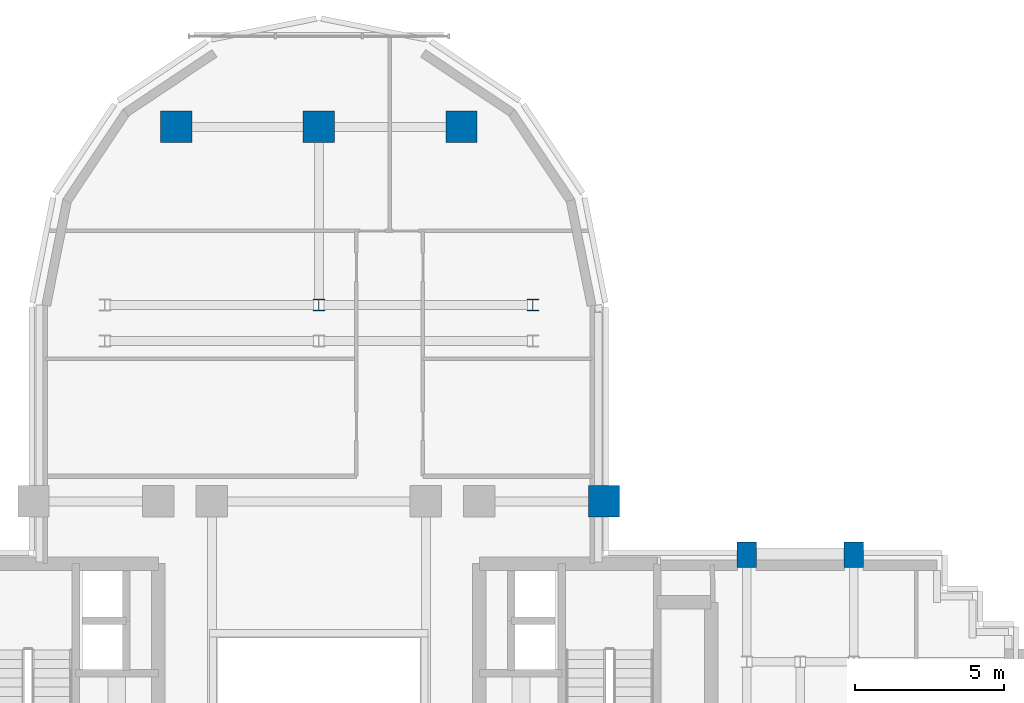
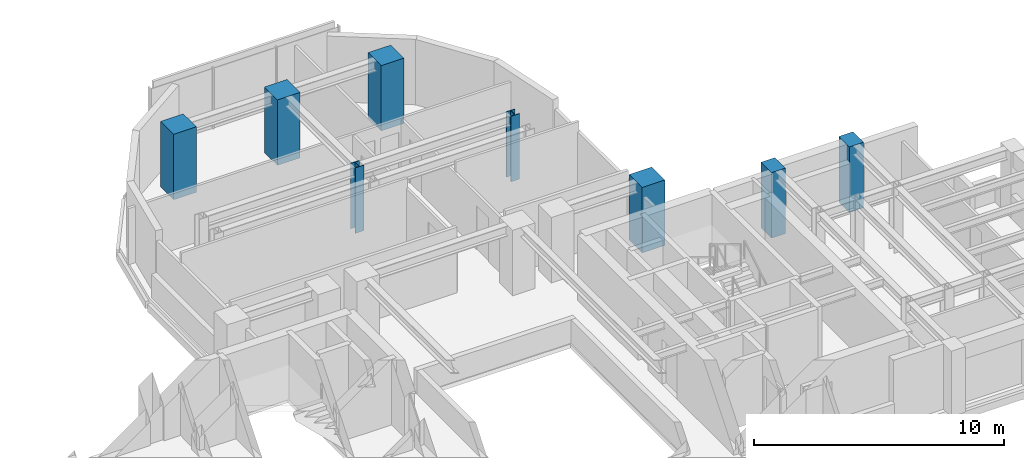
# One storey, part 2 of 13: 8 columns.
"""IFC4 building model written with IfcOpenShell, lengths in metres."""

from ifc_helpers import new_model, si_unit, direction, frame, origin, origin_2d, place, context, subcontext, project, spatial, rectangle, i_section, extrude, source, transform, mapped, material, material_profile, profile_set, type_object, element, save


model = new_model("IFC4")

# Units and contexts
model_context = context("Model", 3, precision=1e-05, world=origin(), true_north=direction((0.0, 1.0)))
body_context = subcontext(model_context, "Body", "Model", "MODEL_VIEW")
ifc_project = project(units=[si_unit("LENGTHUNIT", "METRE"), si_unit("AREAUNIT", "SQUARE_METRE"), si_unit("VOLUMEUNIT", "CUBIC_METRE"), si_unit("PLANEANGLEUNIT", "RADIAN"), si_unit("MASSUNIT", "GRAM", prefix="KILO")], contexts=[model_context])

# Site, building, storey
site_placement = place(None, origin())
site = spatial("IfcSite", under=ifc_project, at=site_placement, CompositionType="ELEMENT")
building_placement = place(site_placement, origin())
building = spatial("IfcBuilding", under=site, at=building_placement, Name="Keilestroom Media Tower", CompositionType="ELEMENT")
storey_placement = place(building_placement, frame((0.0, 0.0, 107.39990234375)))
storey = spatial("IfcBuildingStorey", under=building, at=storey_placement, Name="L28", CompositionType="ELEMENT", Elevation=107.39990234375)

# Columns
ifc_material_1 = material(Name="Precast concrete C40/50", Category="concrete")
ifc_material_profile_1 = material_profile(ifc_material_1, rectangle(XDim=0.64990234375, YDim=0.85009765625, at=origin_2d()), Name="PC 850x650")
ifc_profile_set_1 = profile_set([ifc_material_profile_1], Name="Precast concrete C40/50")
column_type_1 = type_object("IfcColumnType", Name="Structural-Column-PC-850x650", PredefinedType="COLUMN", material=ifc_profile_set_1)
shared_shape_1 = source(origin(), body_context, "Body", "SweptSolid", [
    extrude(rectangle(XDim=0.64990234375, YDim=0.85009765625, at=origin_2d()), origin(), (0.0, 0.0, 1.0), 3.2001953125),
])
for number, where, z_axis, x_axis, name in (
    (1, (14.39990234375, 7.199951171875, 0.0), (0.0, 0.0, 1.0), (1.0, 0.0, 0.0), "L28 Column PC-2 (+14.4,+7.2)"),
    (2, (18.0, 7.199951171875, 0.0), (0.0, 0.0, 1.0), (1.0, 0.0, 0.0), "L28 Column PC-2 (+18.0,+7.2)"),
):
    element("IfcColumn", number, at=place(storey_placement, frame(where, z_axis=z_axis, x_axis=x_axis)), inside=storey, type_object=column_type_1, Name=name, PredefinedType="COLUMN", context=body_context, shape_type="MappedRepresentation", body=[
        mapped(shared_shape_1, transform((0.0, 0.0, 0.0), x_axis=(1.0, 0.0, 0.0), y_axis=(0.0, 1.0, 0.0), z_axis=(0.0, 0.0, 1.0), scale=1.0)),
    ])
ifc_material_2 = material(Name="Steel S355", Category="steel")
ifc_material_profile_2 = material_profile(ifc_material_2, i_section(OverallWidth=0.40087890625, OverallDepth=0.39892578125, WebThickness=0.02001953125, FlangeThickness=0.031982421875, at=origin_2d()), Name="HD 400x314")
ifc_profile_set_2 = profile_set([ifc_material_profile_2], Name="Steel S355")
column_type_2 = type_object("IfcColumnType", Name="Structural-Column-HD-400x314", PredefinedType="COLUMN", material=ifc_profile_set_2)
shared_shape_2 = source(origin(), body_context, "Body", "SweptSolid", [
    extrude(i_section(OverallWidth=0.40087890625, OverallDepth=0.39892578125, WebThickness=0.02001953125, FlangeThickness=0.031982421875, at=origin_2d()), origin(), (0.0, 0.0, 1.0), 3.2001953125),
])
for number, where, z_axis, x_axis, name in (
    (3, (0.0, 15.60009765625, 0.0), (0.0, 0.0, 1.0), (1.0, 0.0, 0.0), "L28 Column SC-3 (+0.0,+15.6)"),
    (4, (7.199951171875, 15.60009765625, 0.0), (0.0, 0.0, 1.0), (1.0, 0.0, 0.0), "L28 Column SC-3 (+7.2,+15.6)"),
):
    element("IfcColumn", number, at=place(storey_placement, frame(where, z_axis=z_axis, x_axis=x_axis)), inside=storey, type_object=column_type_2, Name=name, PredefinedType="COLUMN", context=body_context, shape_type="MappedRepresentation", body=[
        mapped(shared_shape_2, transform((0.0, 0.0, 0.0), x_axis=(1.0, 0.0, 0.0), y_axis=(0.0, 1.0, 0.0), z_axis=(0.0, 0.0, 1.0), scale=1.0)),
    ])
ifc_material_3 = material(Name="Concrete C55/67", Category="concrete")
ifc_material_profile_3 = material_profile(ifc_material_3, rectangle(XDim=1.050048828125, YDim=1.050048828125, at=origin_2d()), Name="RC 1050x1050")
ifc_profile_set_3 = profile_set([ifc_material_profile_3], Name="Concrete C55/67")
column_type_3 = type_object("IfcColumnType", Name="Structural-Column-RC-1050x1050", PredefinedType="COLUMN", material=ifc_profile_set_3)
shared_shape_3 = source(origin(), body_context, "Body", "SweptSolid", [
    extrude(rectangle(XDim=1.050048828125, YDim=1.050048828125, at=origin_2d()), origin(), (0.0, 0.0, 1.0), 3.2001953125),
])
for number, where, z_axis, x_axis, name in (
    (5, (-4.800048828125, 21.60009765625, 0.0), (0.0, 0.0, 1.0), (1.0, 0.0, 0.0), "L28 Column MC-3 (-4.8,+21.6)"),
    (6, (0.0, 21.60009765625, 0.0), (0.0, 0.0, 1.0), (1.0, 0.0, 0.0), "L28 Column MC-3 (+0.0,+21.6)"),
    (7, (4.800048828125, 21.60009765625, 0.0), (0.0, 0.0, 1.0), (1.0, 0.0, 0.0), "L28 Column MC-3 (+4.8,+21.6)"),
    (8, (9.60009765625, 9.0, 0.0), (0.0, 0.0, 1.0), (1.0, 0.0, 0.0), "L28 Column MC-3 (+9.6,+9.0)"),
):
    element("IfcColumn", number, at=place(storey_placement, frame(where, z_axis=z_axis, x_axis=x_axis)), inside=storey, type_object=column_type_3, Name=name, PredefinedType="COLUMN", context=body_context, shape_type="MappedRepresentation", body=[
        mapped(shared_shape_3, transform((0.0, 0.0, 0.0), x_axis=(1.0, 0.0, 0.0), y_axis=(0.0, 1.0, 0.0), z_axis=(0.0, 0.0, 1.0), scale=1.0)),
    ])

save(model, "model.ifc")
